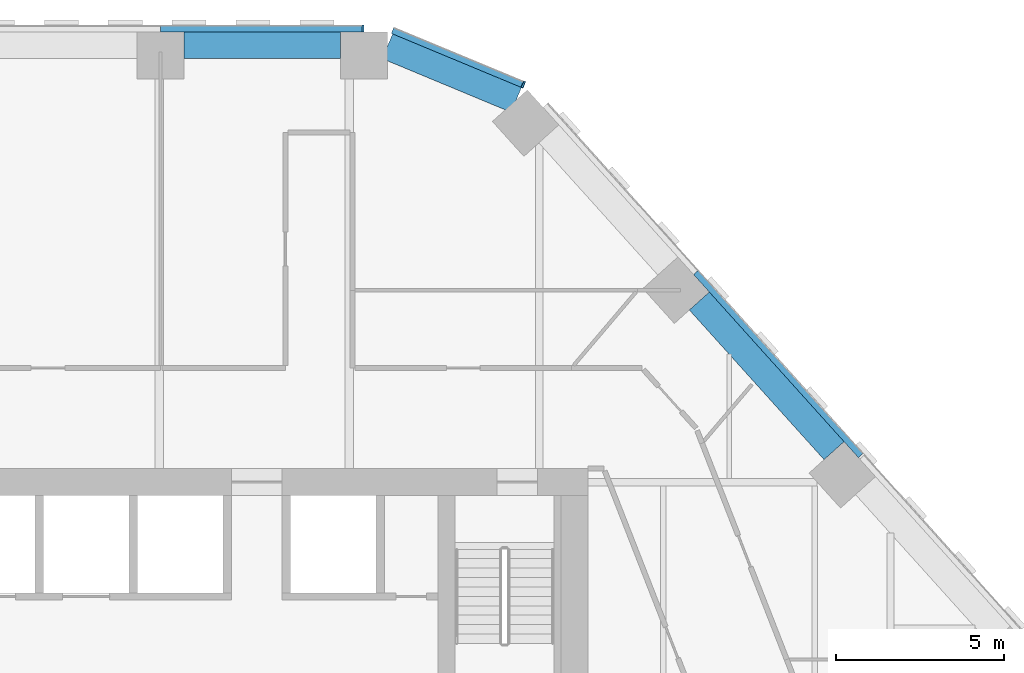
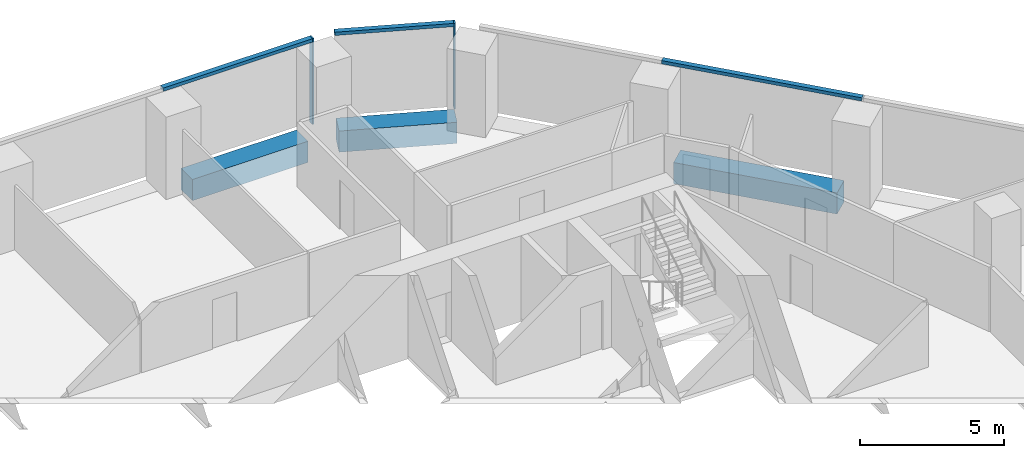
# One storey, part 9 of 17: 5 members, 3 beams, 3 elements without a shape of their own.
"""IFC4 building model written with IfcOpenShell, lengths in metres."""

from ifc_helpers import new_model, si_unit, direction, frame, origin, origin_2d, place, context, subcontext, project, spatial, rectangle, extrude, material, layer, layer_set, material_profile, profile_set, type_object, element, aggregate, save


model = new_model("IFC4")

# Units and contexts
model_context = context("Model", 3, precision=1e-05, world=origin(), true_north=direction((0.0, 1.0)))
body_context = subcontext(model_context, "Body", "Model", "MODEL_VIEW")
ifc_project = project(units=[si_unit("LENGTHUNIT", "METRE"), si_unit("AREAUNIT", "SQUARE_METRE"), si_unit("VOLUMEUNIT", "CUBIC_METRE"), si_unit("PLANEANGLEUNIT", "RADIAN"), si_unit("MASSUNIT", "GRAM", prefix="KILO")], contexts=[model_context])

# Site, building, storey
site_placement = place(None, origin())
site = spatial("IfcSite", under=ifc_project, at=site_placement, CompositionType="ELEMENT")
building_placement = place(site_placement, origin())
building = spatial("IfcBuilding", under=site, at=building_placement, Name="Isthmus Gate Tower", CompositionType="ELEMENT")
storey_placement = place(building_placement, frame((0.0, 0.0, 126.14990234375)))
storey = spatial("IfcBuildingStorey", under=building, at=storey_placement, Name="L30", CompositionType="ELEMENT", Elevation=126.14990234375)

# Curtain wall, member
ifc_material_1 = material(Name="Aluminium, pale champagne anodised", Category="aluminium")
ifc_layer = layer(ifc_material_1, 0.199951171875)
ifc_layer_set = layer_set([ifc_layer], Name="CW-1 UNITISED CURTAIN WALL 200 DEEP")
curtain_wall_type = type_object("IfcCurtainWallType", Name="CW-1 UNITISED CURTAIN WALL 200 DEEP", PredefinedType="NOTDEFINED", material=ifc_layer_set)
curtain_wall_1_placement = place(storey_placement, origin())
curtain_wall_1 = element("IfcCurtainWall", 1, at=curtain_wall_1_placement, inside=storey, type_object=curtain_wall_type, Name="CW-1 N L30", PredefinedType="NOTDEFINED")
ifc_material_2 = material(Name="Aluminium, pale champagne anodised", Category="aluminium")
ifc_material_profile_1 = material_profile(ifc_material_2, rectangle(XDim=0.06005859375, YDim=0.199951171875, at=origin_2d()), Name="60x200")
ifc_profile_set_1 = profile_set([ifc_material_profile_1], Name="Aluminium, pale champagne anodised")
member_type_1 = type_object("IfcMemberType", Name="CW-1 MULLION 60 X 200", PredefinedType="MULLION", material=ifc_profile_set_1)
member_1_placement = place(storey_placement, frame((8.30859375, 28.10009765625, 0.0), z_axis=(0.0, 0.0, 1.0), x_axis=(-1.0, 0.0, 0.0)))
member_1 = element("IfcMember", 2, at=member_1_placement, type_object=member_type_1, Name="CW-1 mullion", PredefinedType="MULLION", context=body_context, shape_type="SweptSolid", body=[
    extrude(rectangle(XDim=0.06005859375, YDim=0.199951171875, at=origin_2d()), origin(), (0.0, 0.0, 1.0), 3.650146484375),
])

curtain_wall_2_placement = place(storey_placement, origin())
curtain_wall_2 = element("IfcCurtainWall", 3, at=curtain_wall_2_placement, inside=storey, type_object=curtain_wall_type, Name="CW-1 NE-N L30", PredefinedType="NOTDEFINED")
member_2_placement = place(storey_placement, frame((13.080810546875, 26.427490234375, 0.0), z_axis=(0.0, 0.0, 1.0), x_axis=(-0.923353128387, 0.383951820282, 0.0)))
member_2 = element("IfcMember", 4, at=member_2_placement, type_object=member_type_1, Name="CW-1 mullion", PredefinedType="MULLION", context=body_context, shape_type="SweptSolid", body=[
    extrude(rectangle(XDim=0.06005859375, YDim=0.199951171875, at=origin_2d()), origin(), (0.0, 0.0, 1.0), 3.650146484375),
])

# Member
ifc_material_3 = material(Name="Aluminium, pale champagne anodised", Category="aluminium")
ifc_material_profile_2 = material_profile(ifc_material_3, rectangle(XDim=0.199951171875, YDim=0.139892578125, at=origin_2d()), Name="200x140")
ifc_profile_set_2 = profile_set([ifc_material_profile_2], Name="Aluminium, pale champagne anodised")
member_type_2 = type_object("IfcMemberType", Name="CW-1 TRANSOM 200 X 140", PredefinedType="USERDEFINED", material=ifc_profile_set_2)
member_3_placement = place(storey_placement, frame((8.278564453125, 28.10009765625, 3.580078125), z_axis=(-1.0, 0.0, 0.0), x_axis=(0.0, -1.0, 0.0)))
member_3 = element("IfcMember", 5, at=member_3_placement, type_object=member_type_2, Name="CW-1 transom", ObjectType="TRANSOM", PredefinedType="USERDEFINED", context=body_context, shape_type="SweptSolid", body=[
    extrude(rectangle(XDim=0.199951171875, YDim=0.139892578125, at=origin_2d()), origin(), (0.0, 0.0, 1.0), 5.990234375),
])

aggregate(curtain_wall_1, [member_1, member_3])

# Curtain wall, member
curtain_wall_3_placement = place(storey_placement, origin())
curtain_wall_3 = element("IfcCurtainWall", 6, at=curtain_wall_3_placement, inside=storey, type_object=curtain_wall_type, Name="CW-1 NE L30", PredefinedType="NOTDEFINED")
member_4_placement = place(storey_placement, frame((23.126708984375, 15.3955078125, 3.580078125), z_axis=(-0.669137671884, 0.743138463589, 0.0), x_axis=(-0.743138463589, -0.669137671884, 0.0)))
member_4 = element("IfcMember", 7, at=member_4_placement, type_object=member_type_2, Name="CW-1 transom", ObjectType="TRANSOM", PredefinedType="USERDEFINED", context=body_context, shape_type="SweptSolid", body=[
    extrude(rectangle(XDim=0.199951171875, YDim=0.139892578125, at=origin_2d()), origin(), (0.0, 0.0, 1.0), 7.330810546875),
])
aggregate(curtain_wall_3, [member_4])

# Member
member_5_placement = place(storey_placement, frame((13.05322265625, 26.43896484375, 3.580078125), z_axis=(-0.923358236369, 0.383939536033, 0.0), x_axis=(-0.383939536033, -0.923358236369, 0.0)))
member_5 = element("IfcMember", 8, at=member_5_placement, type_object=member_type_2, Name="CW-1 transom", ObjectType="TRANSOM", PredefinedType="USERDEFINED", context=body_context, shape_type="SweptSolid", body=[
    extrude(rectangle(XDim=0.199951171875, YDim=0.139892578125, at=origin_2d()), origin(), (0.0, 0.0, 1.0), 4.181640625),
])

aggregate(curtain_wall_2, [member_2, member_5])

# Beams
ifc_material_4 = material(Name="Concrete f'c 60 MPa", Category="concrete")
ifc_material_profile_3 = material_profile(ifc_material_4, rectangle(XDim=0.800048828125, YDim=0.89990234375, at=origin_2d()), Name="RC 800X900")
ifc_profile_set_3 = profile_set([ifc_material_profile_3], Name="Concrete f'c 60 MPa")
beam_type = type_object("IfcBeamType", Name="RC SPANDREL 800 X 900", PredefinedType="SPANDREL", material=ifc_profile_set_3)
beam_1_placement = place(storey_placement, frame((9.03857421875, 27.56689453125, -0.449951171875), z_axis=(0.923342835736, -0.383976571805, 0.0), x_axis=(0.383976571805, 0.923342835736, 0.0)))
element("IfcBeam", 9, at=beam_1_placement, inside=storey, type_object=beam_type, Name="str-spandrel-L30-00", PredefinedType="SPANDREL", context=body_context, shape_type="SweptSolid", body=[
    extrude(rectangle(XDim=0.800048828125, YDim=0.89990234375, at=origin_2d()), origin(), (0.0, 0.0, 1.0), 4.152587890625),
])
beam_2_placement = place(storey_placement, frame((18.318359375, 19.988525390625, -0.449951171875), z_axis=(0.669133582923, -0.743142145356, 0.0), x_axis=(0.743142145356, 0.669133582923, 0.0)))
element("IfcBeam", 10, at=beam_2_placement, inside=storey, type_object=beam_type, Name="str-spandrel-L30-02", PredefinedType="SPANDREL", context=body_context, shape_type="SweptSolid", body=[
    extrude(rectangle(XDim=0.800048828125, YDim=0.89990234375, at=origin_2d()), origin(), (0.0, 0.0, 1.0), 5.99072265625),
])
beam_3_placement = place(storey_placement, frame((2.988525390625, 27.60009765625, -0.449951171875), z_axis=(1.0, 0.0, 0.0), x_axis=(0.0, 1.0, 0.0)))
element("IfcBeam", 11, at=beam_3_placement, inside=storey, type_object=beam_type, Name="str-spandrel-L30-29", PredefinedType="SPANDREL", context=body_context, shape_type="SweptSolid", body=[
    extrude(rectangle(XDim=0.800048828125, YDim=0.89990234375, at=origin_2d()), origin(), (0.0, 0.0, 1.0), 4.650146484375),
])

save(model, "model.ifc")
